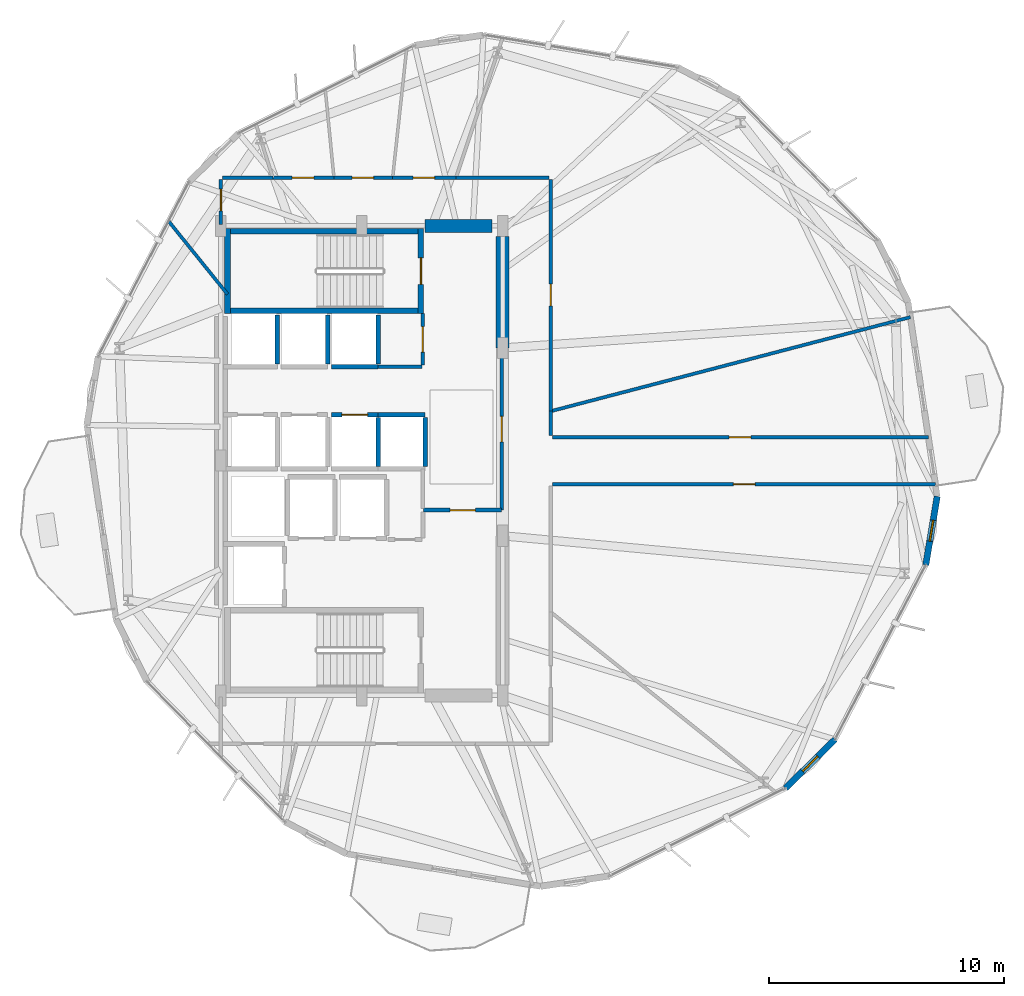
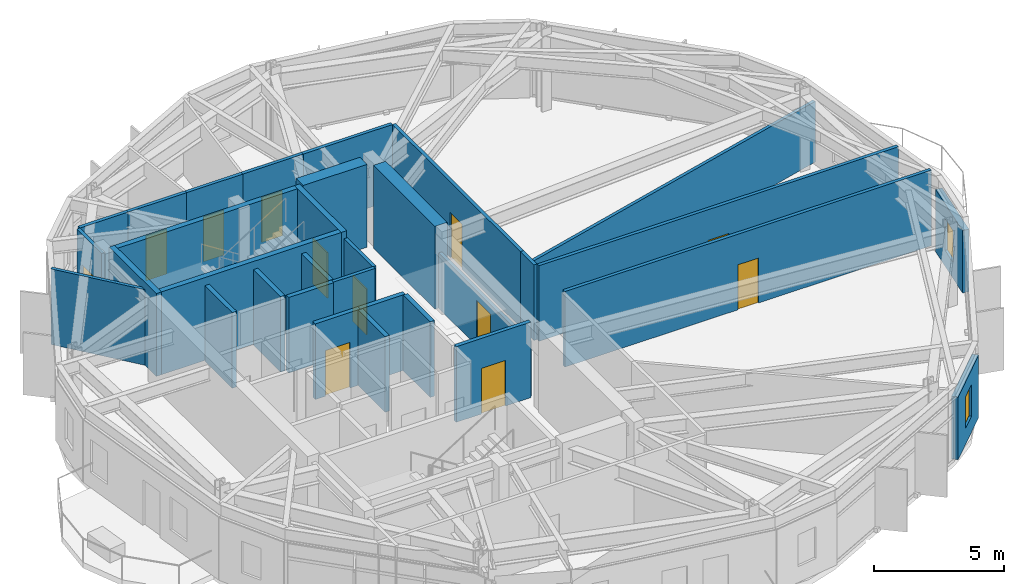
# One storey, part 18 of 22: 32 walls, 12 doors, 2 windows, 14 openings.
"""IFC4 building model written with IfcOpenShell, lengths in metres."""

from ifc_helpers import new_model, si_unit, direction, frame, frame_2d, origin, place, context, subcontext, project, spatial, rectangle, extrude, material, layer, layer_set, type_object, element, fill, save


model = new_model("IFC4")

# Units and contexts
model_context = context("Model", 3, precision=1e-05, world=origin(), true_north=direction((0.0, 1.0)))
body_context = subcontext(model_context, "Body", "Model", "MODEL_VIEW")
ifc_project = project(units=[si_unit("LENGTHUNIT", "METRE"), si_unit("AREAUNIT", "SQUARE_METRE"), si_unit("VOLUMEUNIT", "CUBIC_METRE"), si_unit("PLANEANGLEUNIT", "RADIAN"), si_unit("MASSUNIT", "GRAM", prefix="KILO")], contexts=[model_context])

# Site, building, storey
site_placement = place(None, origin())
site = spatial("IfcSite", under=ifc_project, at=site_placement, CompositionType="ELEMENT")
building_placement = place(site_placement, origin())
building = spatial("IfcBuilding", under=site, at=building_placement, Name="Soratama Intermodal Tower", CompositionType="ELEMENT")
storey_placement = place(building_placement, frame((0.0, 0.0, 130.300048828125)))
storey = spatial("IfcBuildingStorey", under=building, at=storey_placement, Name="L31", CompositionType="ELEMENT", Elevation=130.300048828125)

# Wall, opening, window
ifc_material_1 = material(Name="Concrete f'c 42 MPa", Category="concrete")
ifc_layer_1 = layer(ifc_material_1, 0.27001953125)
ifc_layer_set_1 = layer_set([ifc_layer_1], Name="Concrete f'c 42 MPa")
wall_type_1 = type_object("IfcWallType", Name="EW-CRN-270", PredefinedType="SOLIDWALL", material=ifc_layer_set_1)
wall_1_placement = place(storey_placement, frame((56.64599609375, 11.041748046875, 0.0), z_axis=(0.0, 0.0, 1.0), x_axis=(0.713048365922, 0.701114846409, 0.0)))
wall_1 = element("IfcWall", 1, at=wall_1_placement, inside=storey, type_object=wall_type_1, Name="L31 Corner Closure Wall 08", PredefinedType="SOLIDWALL", context=body_context, shape_type="SweptSolid", body=[
    extrude(rectangle(XDim=2.966552734375, YDim=0.27001953125, at=frame_2d((1.4833984375, 0.0))), origin(), (0.0, 0.0, 1.0), 2.93896484375),
])
opening_1_placement = place(wall_1_placement, frame((1.033203125, 0.0, 0.75)))
opening_1 = element("IfcOpeningElement", 2, at=opening_1_placement, cuts=wall_1, Name="Opening WN-6", PredefinedType="OPENING", context=body_context, shape_type="SweptSolid", body=[
    extrude(rectangle(XDim=0.89990234375, YDim=1.5, at=frame_2d((0.449951171875, 0.75))), frame((0.0, 0.14501953125, 0.0), z_axis=(0.0, -1.0, 0.0), x_axis=(1.0, 0.0, 0.0)), (0.0, 0.0, 1.0), 0.2900390625),
])
ifc_material_2 = material(Name="Double-glazed aluminium window", Category="aluminium")
window_type = type_object("IfcWindowType", Name="WN-FAC-900", PartitioningType="SINGLE_PANEL", PredefinedType="WINDOW", material=ifc_material_2)
window_1_placement = place(opening_1_placement, origin())
window_1 = element("IfcWindow", 3, at=window_1_placement, inside=storey, type_object=window_type, Name="L31 Corner Window 08", OverallHeight=1.5, OverallWidth=0.89990234375, PartitioningType="SINGLE_PANEL", PredefinedType="WINDOW", context=body_context, shape_type="SweptSolid", body=[
    extrude(rectangle(XDim=0.89990234375, YDim=1.5, at=frame_2d((0.449951171875, 0.75))), frame((0.0, 0.030029296875, 0.0), z_axis=(0.0, -1.0, 0.0), x_axis=(1.0, 0.0, 0.0)), (0.0, 0.0, 1.0), 0.06005859375),
])
fill(opening_1, window_1)

wall_2_placement = place(storey_placement, frame((62.626220703125, 20.552978515625, 0.0), z_axis=(0.0, 0.0, 1.0), x_axis=(0.164759305297, 0.986333803191, 0.0)))
wall_2 = element("IfcWall", 4, at=wall_2_placement, inside=storey, type_object=wall_type_1, Name="L31 Corner Closure Wall 09", PredefinedType="SOLIDWALL", context=body_context, shape_type="SweptSolid", body=[
    extrude(rectangle(XDim=2.966552734375, YDim=0.27001953125, at=frame_2d((1.4833984375, 0.0))), origin(), (0.0, 0.0, 1.0), 2.93896484375),
])
opening_2_placement = place(wall_2_placement, frame((1.033203125, 0.0, 0.75)))
opening_2 = element("IfcOpeningElement", 5, at=opening_2_placement, cuts=wall_2, Name="Opening WN-6", PredefinedType="OPENING", context=body_context, shape_type="SweptSolid", body=[
    extrude(rectangle(XDim=0.89990234375, YDim=1.5, at=frame_2d((0.449951171875, 0.75))), frame((0.0, 0.14501953125, 0.0), z_axis=(0.0, -1.0, 0.0), x_axis=(1.0, 0.0, 0.0)), (0.0, 0.0, 1.0), 0.2900390625),
])
window_2_placement = place(opening_2_placement, origin())
window_2 = element("IfcWindow", 6, at=window_2_placement, inside=storey, type_object=window_type, Name="L31 Corner Window 09", OverallHeight=1.5, OverallWidth=0.89990234375, PartitioningType="SINGLE_PANEL", PredefinedType="WINDOW", context=body_context, shape_type="SweptSolid", body=[
    extrude(rectangle(XDim=0.89990234375, YDim=1.5, at=frame_2d((0.449951171875, 0.75))), frame((0.0, 0.030029296875, 0.0), z_axis=(0.0, -1.0, 0.0), x_axis=(1.0, 0.0, 0.0)), (0.0, 0.0, 1.0), 0.06005859375),
])
fill(opening_2, window_2)

# Wall, opening, door
ifc_material_3 = material(Name="Fire-rated gypsum stud partition", Category="concrete")
ifc_layer_2 = layer(ifc_material_3, 0.14990234375)
ifc_layer_set_2 = layer_set([ifc_layer_2], Name="Fire-rated gypsum stud partition")
wall_type_2 = type_object("IfcWallType", Name="IW-PART-R150", PredefinedType="PARTITIONING", material=ifc_layer_set_2)
wall_3_placement = place(storey_placement, frame((63.037109375, 24.0, 0.0), z_axis=(0.0, 0.0, 1.0), x_axis=(-1.0, 0.0, 0.0)))
wall_3 = element("IfcWall", 7, at=wall_3_placement, inside=storey, type_object=wall_type_2, Name="L31 Partition W-L31-TP001", PredefinedType="PARTITIONING", context=body_context, shape_type="SweptSolid", body=[
    extrude(rectangle(XDim=16.317138671875, YDim=0.14990234375, at=frame_2d((8.15869140625, 0.0))), origin(), (0.0, 0.0, 1.0), 3.56005859375),
])
opening_3_placement = place(wall_3_placement, frame((7.68408203125, 0.0, 0.0)))
opening_3 = element("IfcOpeningElement", 8, at=opening_3_placement, cuts=wall_3, Name="Opening ID-6", PredefinedType="OPENING", context=body_context, shape_type="SweptSolid", body=[
    extrude(rectangle(XDim=0.919921875, YDim=2.1201171875, at=frame_2d((0.4599609375, 1.06005859375))), frame((0.0, 0.0849609375, 0.0), z_axis=(0.0, -1.0, 0.0), x_axis=(1.0, 0.0, 0.0)), (0.0, 0.0, 1.0), 0.169921875),
])
ifc_material_4 = material(Name="Solid hardwood acoustic door", Category="wood")
door_type_1 = type_object("IfcDoorType", Name="DR-ROOM-920", OperationType="NOTDEFINED", PredefinedType="DOOR", material=ifc_material_4)
door_1_placement = place(opening_3_placement, origin())
door_1 = element("IfcDoor", 9, at=door_1_placement, inside=storey, type_object=door_type_1, Name="L31 Door D-L31-TP001", OperationType="SINGLE_SWING_RIGHT", OverallHeight=2.1201171875, OverallWidth=0.919921875, PredefinedType="DOOR", context=body_context, shape_type="SweptSolid", body=[
    extrude(rectangle(XDim=0.919921875, YDim=2.1201171875, at=frame_2d((0.4599609375, 1.06005859375))), frame((0.0, 0.02490234375, 0.0), z_axis=(0.0, -1.0, 0.0), x_axis=(1.0, 0.0, 0.0)), (0.0, 0.0, 1.0), 0.050048828125),
])
fill(opening_3, door_1)

wall_4_placement = place(storey_placement, frame((46.719970703125, 26.0, 0.0), z_axis=(0.0, 0.0, 1.0), x_axis=(1.0, 0.0, 0.0)))
wall_4 = element("IfcWall", 10, at=wall_4_placement, inside=storey, type_object=wall_type_2, Name="L31 Partition W-L31-TP002", PredefinedType="PARTITIONING", context=body_context, shape_type="SweptSolid", body=[
    extrude(rectangle(XDim=16.01708984375, YDim=0.14990234375, at=frame_2d((8.008544921875, 0.0))), origin(), (0.0, 0.0, 1.0), 3.56005859375),
])
opening_4_placement = place(wall_4_placement, frame((7.533935546875, 0.0, 0.0)))
opening_4 = element("IfcOpeningElement", 11, at=opening_4_placement, cuts=wall_4, Name="Opening ID-6", PredefinedType="OPENING", context=body_context, shape_type="SweptSolid", body=[
    extrude(rectangle(XDim=0.919921875, YDim=2.1201171875, at=frame_2d((0.4599609375, 1.06005859375))), frame((0.0, 0.0849609375, 0.0), z_axis=(0.0, -1.0, 0.0), x_axis=(1.0, 0.0, 0.0)), (0.0, 0.0, 1.0), 0.169921875),
])
door_2_placement = place(opening_4_placement, origin())
door_2 = element("IfcDoor", 12, at=door_2_placement, inside=storey, type_object=door_type_1, Name="L31 Door D-L31-TP002", OperationType="SINGLE_SWING_LEFT", OverallHeight=2.1201171875, OverallWidth=0.919921875, PredefinedType="DOOR", context=body_context, shape_type="SweptSolid", body=[
    extrude(rectangle(XDim=0.919921875, YDim=2.1201171875, at=frame_2d((0.4599609375, 1.06005859375))), frame((0.0, 0.02490234375, 0.0), z_axis=(0.0, -1.0, 0.0), x_axis=(1.0, 0.0, 0.0)), (0.0, 0.0, 1.0), 0.050048828125),
])
fill(opening_4, door_2)

wall_5_placement = place(storey_placement, frame((46.64990234375, 36.97998046875, 0.0), z_axis=(0.0, 0.0, 1.0), x_axis=(0.0, -1.0, 0.0)))
wall_5 = element("IfcWall", 13, at=wall_5_placement, inside=storey, type_object=wall_type_2, Name="L31 Partition W-L31-TP005", PredefinedType="PARTITIONING", context=body_context, shape_type="SweptSolid", body=[
    extrude(rectangle(XDim=9.8740234375, YDim=0.14990234375, at=frame_2d((4.93701171875, 0.0))), origin(), (0.0, 0.0, 1.0), 3.56005859375),
])
opening_5_placement = place(wall_5_placement, frame((4.4619140625, 0.0, 0.0)))
opening_5 = element("IfcOpeningElement", 14, at=opening_5_placement, cuts=wall_5, Name="Opening ID-6", PredefinedType="OPENING", context=body_context, shape_type="SweptSolid", body=[
    extrude(rectangle(XDim=0.919921875, YDim=2.1201171875, at=frame_2d((0.4599609375, 1.06005859375))), frame((0.0, 0.0849609375, 0.0), z_axis=(0.0, -1.0, 0.0), x_axis=(1.0, 0.0, 0.0)), (0.0, 0.0, 1.0), 0.169921875),
])
door_3_placement = place(opening_5_placement, origin())
door_3 = element("IfcDoor", 15, at=door_3_placement, inside=storey, type_object=door_type_1, Name="L31 Door D-L31-TP003", OperationType="SINGLE_SWING_RIGHT", OverallHeight=2.1201171875, OverallWidth=0.919921875, PredefinedType="DOOR", context=body_context, shape_type="SweptSolid", body=[
    extrude(rectangle(XDim=0.919921875, YDim=2.1201171875, at=frame_2d((0.4599609375, 1.06005859375))), frame((0.0, 0.02490234375, 0.0), z_axis=(0.0, -1.0, 0.0), x_axis=(1.0, 0.0, 0.0)), (0.0, 0.0, 1.0), 0.050048828125),
])
fill(opening_5, door_3)

wall_6_placement = place(storey_placement, frame((44.56005859375, 29.800048828125, 0.0), z_axis=(0.0, 0.0, 1.0), x_axis=(0.0, -1.0, 0.0)))
wall_6 = element("IfcWall", 16, at=wall_6_placement, inside=storey, type_object=wall_type_2, Name="L31 Partition W-L31-TP007", PredefinedType="PARTITIONING", context=body_context, shape_type="SweptSolid", body=[
    extrude(rectangle(XDim=6.91015625, YDim=0.14990234375, at=frame_2d((3.455078125, 0.0))), origin(), (0.0, 0.0, 1.0), 2.599853515625),
])
opening_6_placement = place(wall_6_placement, frame((2.9150390625, 0.0, 0.0)))
opening_6 = element("IfcOpeningElement", 17, at=opening_6_placement, cuts=wall_6, Name="Opening ID-1", PredefinedType="OPENING", context=body_context, shape_type="SweptSolid", body=[
    extrude(rectangle(XDim=1.080078125, YDim=2.14990234375, at=frame_2d((0.5400390625, 1.074951171875))), frame((0.0, 0.0849609375, 0.0), z_axis=(0.0, -1.0, 0.0), x_axis=(1.0, 0.0, 0.0)), (0.0, 0.0, 1.0), 0.169921875),
])
ifc_material_5 = material(Name="Solid hardwood acoustic door", Category="wood")
door_type_2 = type_object("IfcDoorType", Name="DR-LOB-FD60", OperationType="NOTDEFINED", PredefinedType="DOOR", material=ifc_material_5)
door_4_placement = place(opening_6_placement, origin())
door_4 = element("IfcDoor", 18, at=door_4_placement, inside=storey, type_object=door_type_2, Name="L31 Door D-L31-TP005", OperationType="SINGLE_SWING_RIGHT", OverallHeight=2.14990234375, OverallWidth=1.080078125, PredefinedType="DOOR", context=body_context, shape_type="SweptSolid", body=[
    extrude(rectangle(XDim=1.080078125, YDim=2.14990234375, at=frame_2d((0.5400390625, 1.074951171875))), frame((0.0, 0.02490234375, 0.0), z_axis=(0.0, -1.0, 0.0), x_axis=(1.0, 0.0, 0.0)), (0.0, 0.0, 1.0), 0.050048828125),
])
fill(opening_6, door_4)

# Wall
wall_7_placement = place(storey_placement, frame((42.614013671875, 37.050048828125, 0.0), z_axis=(0.0, 0.0, 1.0), x_axis=(1.0, 0.0, 0.0)))
element("IfcWall", 19, at=wall_7_placement, inside=storey, type_object=wall_type_2, Name="L31 Partition W-L31-TP014", PredefinedType="PARTITIONING", context=body_context, shape_type="SweptSolid", body=[
    extrude(rectangle(XDim=3.966064453125, YDim=0.14990234375, at=frame_2d((1.98291015625, 0.0))), origin(), (0.0, 0.0, 1.0), 3.56005859375),
])

# Wall, opening, door
wall_8_placement = place(storey_placement, frame((39.9150390625, 37.050048828125, 0.0), z_axis=(0.0, 0.0, 1.0), x_axis=(1.0, 0.0, 0.0)))
wall_8 = element("IfcWall", 20, at=wall_8_placement, inside=storey, type_object=wall_type_2, Name="L31 Partition W-L31-TP020", PredefinedType="PARTITIONING", context=body_context, shape_type="SweptSolid", body=[
    extrude(rectangle(XDim=2.698974609375, YDim=0.14990234375, at=frame_2d((1.349609375, 0.0))), origin(), (0.0, 0.0, 1.0), 3.56005859375),
])
opening_7_placement = place(wall_8_placement, frame((0.8740234375, 0.0, 0.0)))
opening_7 = element("IfcOpeningElement", 21, at=opening_7_placement, cuts=wall_8, Name="Opening ID-6", PredefinedType="OPENING", context=body_context, shape_type="SweptSolid", body=[
    extrude(rectangle(XDim=0.919921875, YDim=2.1201171875, at=frame_2d((0.4599609375, 1.06005859375))), frame((0.0, 0.0849609375, 0.0), z_axis=(0.0, -1.0, 0.0), x_axis=(1.0, 0.0, 0.0)), (0.0, 0.0, 1.0), 0.169921875),
])
door_5_placement = place(opening_7_placement, origin())
door_5 = element("IfcDoor", 22, at=door_5_placement, inside=storey, type_object=door_type_1, Name="L31 Door D-L31-TP009", OperationType="SINGLE_SWING_RIGHT", OverallHeight=2.1201171875, OverallWidth=0.919921875, PredefinedType="DOOR", context=body_context, shape_type="SweptSolid", body=[
    extrude(rectangle(XDim=0.919921875, YDim=2.1201171875, at=frame_2d((0.4599609375, 1.06005859375))), frame((0.0, 0.02490234375, 0.0), z_axis=(0.0, -1.0, 0.0), x_axis=(1.0, 0.0, 0.0)), (0.0, 0.0, 1.0), 0.050048828125),
])
fill(opening_7, door_5)

wall_9_placement = place(storey_placement, frame((34.81005859375, 37.050048828125, 0.0), z_axis=(0.0, 0.0, 1.0), x_axis=(1.0, 0.0, 0.0)))
wall_9 = element("IfcWall", 23, at=wall_9_placement, inside=storey, type_object=wall_type_2, Name="L31 Partition W-L31-TP021", PredefinedType="PARTITIONING", context=body_context, shape_type="SweptSolid", body=[
    extrude(rectangle(XDim=2.60498046875, YDim=0.14990234375, at=frame_2d((1.302490234375, 0.0))), origin(), (0.0, 0.0, 1.0), 3.56005859375),
])
opening_8_placement = place(wall_9_placement, frame((0.826904296875, 0.0, 0.0)))
opening_8 = element("IfcOpeningElement", 24, at=opening_8_placement, cuts=wall_9, Name="Opening ID-6", PredefinedType="OPENING", context=body_context, shape_type="SweptSolid", body=[
    extrude(rectangle(XDim=0.919921875, YDim=2.1201171875, at=frame_2d((0.4599609375, 1.06005859375))), frame((0.0, 0.0849609375, 0.0), z_axis=(0.0, -1.0, 0.0), x_axis=(1.0, 0.0, 0.0)), (0.0, 0.0, 1.0), 0.169921875),
])
door_6_placement = place(opening_8_placement, origin())
door_6 = element("IfcDoor", 25, at=door_6_placement, inside=storey, type_object=door_type_1, Name="L31 Door D-L31-TP010", OperationType="SINGLE_SWING_LEFT", OverallHeight=2.1201171875, OverallWidth=0.919921875, PredefinedType="DOOR", context=body_context, shape_type="SweptSolid", body=[
    extrude(rectangle(XDim=0.919921875, YDim=2.1201171875, at=frame_2d((0.4599609375, 1.06005859375))), frame((0.0, 0.02490234375, 0.0), z_axis=(0.0, -1.0, 0.0), x_axis=(1.0, 0.0, 0.0)), (0.0, 0.0, 1.0), 0.050048828125),
])
fill(opening_8, door_6)

wall_10_placement = place(storey_placement, frame((37.4150390625, 37.050048828125, 0.0), z_axis=(0.0, 0.0, 1.0), x_axis=(1.0, 0.0, 0.0)))
wall_10 = element("IfcWall", 26, at=wall_10_placement, inside=storey, type_object=wall_type_2, Name="L31 Partition W-L31-TP023", PredefinedType="PARTITIONING", context=body_context, shape_type="SweptSolid", body=[
    extrude(rectangle(XDim=2.5, YDim=0.14990234375, at=frame_2d((1.25, 0.0))), origin(), (0.0, 0.0, 1.0), 3.56005859375),
])
opening_9_placement = place(wall_10_placement, frame((0.77490234375, 0.0, 0.0)))
opening_9 = element("IfcOpeningElement", 27, at=opening_9_placement, cuts=wall_10, Name="Opening ID-6", PredefinedType="OPENING", context=body_context, shape_type="SweptSolid", body=[
    extrude(rectangle(XDim=0.919921875, YDim=2.1201171875, at=frame_2d((0.4599609375, 1.06005859375))), frame((0.0, 0.0849609375, 0.0), z_axis=(0.0, -1.0, 0.0), x_axis=(1.0, 0.0, 0.0)), (0.0, 0.0, 1.0), 0.169921875),
])
door_7_placement = place(opening_9_placement, origin())
door_7 = element("IfcDoor", 28, at=door_7_placement, inside=storey, type_object=door_type_1, Name="L31 Door D-L31-TP011", OperationType="SINGLE_SWING_RIGHT", OverallHeight=2.1201171875, OverallWidth=0.919921875, PredefinedType="DOOR", context=body_context, shape_type="SweptSolid", body=[
    extrude(rectangle(XDim=0.919921875, YDim=2.1201171875, at=frame_2d((0.4599609375, 1.06005859375))), frame((0.0, 0.02490234375, 0.0), z_axis=(0.0, -1.0, 0.0), x_axis=(1.0, 0.0, 0.0)), (0.0, 0.0, 1.0), 0.050048828125),
])
fill(opening_9, door_7)

wall_11_placement = place(storey_placement, frame((41.199951171875, 29.070068359375, 0.0), z_axis=(0.0, 0.0, 1.0), x_axis=(0.0, 1.0, 0.0)))
wall_11 = element("IfcWall", 29, at=wall_11_placement, inside=storey, type_object=wall_type_2, Name="L31 Partition W-L31-TP025", PredefinedType="PARTITIONING", context=body_context, shape_type="SweptSolid", body=[
    extrude(rectangle(XDim=2.18994140625, YDim=0.14990234375, at=frame_2d((1.094970703125, 0.0))), origin(), (0.0, 0.0, 1.0), 3.56005859375),
])
opening_10_placement = place(wall_11_placement, frame((0.554931640625, 0.0, 0.0)))
opening_10 = element("IfcOpeningElement", 30, at=opening_10_placement, cuts=wall_11, Name="Opening ID-1", PredefinedType="OPENING", context=body_context, shape_type="SweptSolid", body=[
    extrude(rectangle(XDim=1.080078125, YDim=2.14990234375, at=frame_2d((0.5400390625, 1.074951171875))), frame((0.0, 0.0849609375, 0.0), z_axis=(0.0, -1.0, 0.0), x_axis=(1.0, 0.0, 0.0)), (0.0, 0.0, 1.0), 0.169921875),
])
door_8_placement = place(opening_10_placement, origin())
door_8 = element("IfcDoor", 31, at=door_8_placement, inside=storey, type_object=door_type_2, Name="L31 Door D-L31-TP012", OperationType="SINGLE_SWING_LEFT", OverallHeight=2.14990234375, OverallWidth=1.080078125, PredefinedType="DOOR", context=body_context, shape_type="SweptSolid", body=[
    extrude(rectangle(XDim=1.080078125, YDim=2.14990234375, at=frame_2d((0.5400390625, 1.074951171875))), frame((0.0, 0.02490234375, 0.0), z_axis=(0.0, -1.0, 0.0), x_axis=(1.0, 0.0, 0.0)), (0.0, 0.0, 1.0), 0.050048828125),
])
fill(opening_10, door_8)

# Wall
wall_12_placement = place(storey_placement, frame((32.669921875, 37.050048828125, 0.0), z_axis=(0.0, 0.0, 1.0), x_axis=(1.0, 0.0, 0.0)))
element("IfcWall", 32, at=wall_12_placement, inside=storey, type_object=wall_type_2, Name="L31 Partition W-L31-TP026", PredefinedType="PARTITIONING", context=body_context, shape_type="SweptSolid", body=[
    extrude(rectangle(XDim=2.14013671875, YDim=0.14990234375, at=frame_2d((1.070068359375, 0.0))), origin(), (0.0, 0.0, 1.0), 3.56005859375),
])

# Wall, opening, door
wall_13_placement = place(storey_placement, frame((32.60009765625, 35.070068359375, 0.0), z_axis=(0.0, 0.0, 1.0), x_axis=(0.0, 1.0, 0.0)))
wall_13 = element("IfcWall", 33, at=wall_13_placement, inside=storey, type_object=wall_type_2, Name="L31 Partition W-L31-TP027", PredefinedType="PARTITIONING", context=body_context, shape_type="SweptSolid", body=[
    extrude(rectangle(XDim=1.909912109375, YDim=0.14990234375, at=frame_2d((0.955078125, 0.0))), origin(), (0.0, 0.0, 1.0), 3.56005859375),
])
opening_11_placement = place(wall_13_placement, frame((0.574951171875, 0.0, 0.0)))
opening_11 = element("IfcOpeningElement", 34, at=opening_11_placement, cuts=wall_13, Name="Opening ID-6", PredefinedType="OPENING", context=body_context, shape_type="SweptSolid", body=[
    extrude(rectangle(XDim=0.919921875, YDim=2.1201171875, at=frame_2d((0.4599609375, 1.06005859375))), frame((0.0, 0.0849609375, 0.0), z_axis=(0.0, -1.0, 0.0), x_axis=(1.0, 0.0, 0.0)), (0.0, 0.0, 1.0), 0.169921875),
])
door_9_placement = place(opening_11_placement, origin())
door_9 = element("IfcDoor", 35, at=door_9_placement, inside=storey, type_object=door_type_1, Name="L31 Door D-L31-TP013", OperationType="SINGLE_SWING_RIGHT", OverallHeight=2.1201171875, OverallWidth=0.919921875, PredefinedType="DOOR", context=body_context, shape_type="SweptSolid", body=[
    extrude(rectangle(XDim=0.919921875, YDim=2.1201171875, at=frame_2d((0.4599609375, 1.06005859375))), frame((0.0, 0.02490234375, 0.0), z_axis=(0.0, -1.0, 0.0), x_axis=(1.0, 0.0, 0.0)), (0.0, 0.0, 1.0), 0.050048828125),
])
fill(opening_11, door_9)

# Walls
wall_14_placement = place(storey_placement, frame((39.300048828125, 29.010009765625, 0.0), z_axis=(0.0, 0.0, 1.0), x_axis=(1.0, 0.0, 0.0)))
element("IfcWall", 36, at=wall_14_placement, inside=storey, type_object=wall_type_2, Name="L31 Partition W-L31-TP028", PredefinedType="PARTITIONING", context=body_context, shape_type="SweptSolid", body=[
    extrude(rectangle(XDim=1.85986328125, YDim=0.14990234375, at=frame_2d((0.929931640625, 0.0))), origin(), (0.0, 0.0, 1.0), 3.56005859375),
])
wall_15_placement = place(storey_placement, frame((46.64990234375, 27.10595703125, 0.0), z_axis=(0.0, 0.0, 1.0), x_axis=(0.0, -1.0, 0.0)))
element("IfcWall", 37, at=wall_15_placement, inside=storey, type_object=wall_type_2, Name="L31 Partition W-L31-TP032", PredefinedType="PARTITIONING", context=body_context, shape_type="SweptSolid", body=[
    extrude(rectangle(XDim=1.035888671875, YDim=0.14990234375, at=frame_2d((0.51806640625, 0.0))), origin(), (0.0, 0.0, 1.0), 3.56005859375),
])

# Wall, opening, door
ifc_material_6 = material(Name="Fire-rated gypsum stud partition", Category="concrete")
ifc_layer_3 = layer(ifc_material_6, 0.169921875)
ifc_layer_set_3 = layer_set([ifc_layer_3], Name="Fire-rated gypsum stud partition")
wall_type_3 = type_object("IfcWallType", Name="IW-PART-R170", PredefinedType="PARTITIONING", material=ifc_layer_set_3)
wall_16_placement = place(storey_placement, frame((41.239990234375, 22.889892578125, 0.0), z_axis=(0.0, 0.0, 1.0), x_axis=(1.0, 0.0, 0.0)))
wall_16 = element("IfcWall", 38, at=wall_16_placement, inside=storey, type_object=wall_type_3, Name="L31 Partition W-L31-TP017", PredefinedType="PARTITIONING", context=body_context, shape_type="SweptSolid", body=[
    extrude(rectangle(XDim=3.320068359375, YDim=0.169921875, at=frame_2d((1.66015625, 0.0))), origin(), (0.0, 0.0, 1.0), 3.56005859375),
])
opening_12_placement = place(wall_16_placement, frame((1.1201171875, 0.0, 0.0)))
opening_12 = element("IfcOpeningElement", 39, at=opening_12_placement, cuts=wall_16, Name="Opening ID-0", PredefinedType="OPENING", context=body_context, shape_type="SweptSolid", body=[
    extrude(rectangle(XDim=1.080078125, YDim=2.14990234375, at=frame_2d((0.5400390625, 1.074951171875))), frame((0.0, 0.094970703125, 0.0), z_axis=(0.0, -1.0, 0.0), x_axis=(1.0, 0.0, 0.0)), (0.0, 0.0, 1.0), 0.18994140625),
])
ifc_material_7 = material(Name="Solid hardwood acoustic door", Category="wood")
door_type_3 = type_object("IfcDoorType", Name="DR-LOB-FD90", OperationType="NOTDEFINED", PredefinedType="DOOR", material=ifc_material_7)
door_10_placement = place(opening_12_placement, origin())
door_10 = element("IfcDoor", 40, at=door_10_placement, inside=storey, type_object=door_type_3, Name="L31 Door D-L31-TP008", OperationType="SINGLE_SWING_LEFT", OverallHeight=2.14990234375, OverallWidth=1.080078125, PredefinedType="DOOR", context=body_context, shape_type="SweptSolid", body=[
    extrude(rectangle(XDim=1.080078125, YDim=2.14990234375, at=frame_2d((0.5400390625, 1.074951171875))), frame((0.0, 0.02490234375, 0.0), z_axis=(0.0, -1.0, 0.0), x_axis=(1.0, 0.0, 0.0)), (0.0, 0.0, 1.0), 0.050048828125),
])
fill(opening_12, door_10)

# Walls
ifc_material_8 = material(Name="Fire-rated gypsum stud partition", Category="concrete")
ifc_layer_4 = layer(ifc_material_8, 0.139892578125)
ifc_layer_set_4 = layer_set([ifc_layer_4], Name="Fire-rated gypsum stud partition")
wall_type_4 = type_object("IfcWallType", Name="IW-PART-S140", PredefinedType="PARTITIONING", material=ifc_layer_set_4)
wall_17_placement = place(storey_placement, frame((46.64990234375, 27.10595703125, 0.0), z_axis=(0.0, 0.0, 1.0), x_axis=(0.967443345074, 0.2530876806, 0.0)))
element("IfcWall", 41, at=wall_17_placement, inside=storey, type_object=wall_type_4, Name="L31 Partition W-L31-TP003", PredefinedType="PARTITIONING", context=body_context, shape_type="SweptSolid", body=[
    extrude(rectangle(XDim=15.836669921875, YDim=0.139892578125, at=frame_2d((7.91845703125, 0.0))), origin(), (0.0, 0.0, 1.0), 2.85498046875),
])
wall_18_placement = place(storey_placement, frame((32.8798828125, 32.091064453125, 0.0), z_axis=(0.0, 0.0, 1.0), x_axis=(-0.627971930716, 0.77823598878, 0.0)))
element("IfcWall", 42, at=wall_18_placement, inside=storey, type_object=wall_type_4, Name="L31 Partition W-L31-TP013", PredefinedType="PARTITIONING", context=body_context, shape_type="SweptSolid", body=[
    extrude(rectangle(XDim=4.0, YDim=0.139892578125, at=frame_2d((2.0, 0.0))), origin(), (0.0, 0.0, 1.0), 3.56005859375),
])

# Wall, opening, door
ifc_material_9 = material(Name="Concrete f'c 42 MPa", Category="concrete")
ifc_layer_5 = layer(ifc_material_9, 0.199951171875)
ifc_layer_set_5 = layer_set([ifc_layer_5], Name="Concrete f'c 42 MPa")
wall_type_5 = type_object("IfcWallType", Name="IW-SHAFT-200", PredefinedType="SOLIDWALL", material=ifc_layer_set_5)
wall_19_placement = place(storey_placement, frame((37.300048828125, 26.949951171875, 0.0), z_axis=(0.0, 0.0, 1.0), x_axis=(1.0, 0.0, 0.0)))
wall_19 = element("IfcWall", 43, at=wall_19_placement, inside=storey, type_object=wall_type_5, Name="L31 PL-L3 Hoistway Wall N", PredefinedType="SOLIDWALL", context=body_context, shape_type="SweptSolid", body=[
    extrude(rectangle(XDim=2.0, YDim=0.199951171875, at=frame_2d((1.0, 0.0))), origin(), (0.0, 0.0, 1.0), 3.56005859375),
])
opening_13_placement = place(wall_19_placement, frame((0.449951171875, 0.0, 0.0)))
opening_13 = element("IfcOpeningElement", 44, at=opening_13_placement, cuts=wall_19, Name="Opening LD-1", PredefinedType="OPENING", context=body_context, shape_type="SweptSolid", body=[
    extrude(rectangle(XDim=1.10009765625, YDim=2.14990234375, at=frame_2d((0.550048828125, 1.074951171875))), frame((0.0, 0.10986328125, 0.0), z_axis=(0.0, -1.0, 0.0), x_axis=(1.0, 0.0, 0.0)), (0.0, 0.0, 1.0), 0.219970703125),
])
ifc_material_10 = material(Name="Steel fire door", Category="steel")
door_type_4 = type_object("IfcDoorType", Name="DR-LIFT-SLIDE", OperationType="NOTDEFINED", PredefinedType="DOOR", material=ifc_material_10)
door_11_placement = place(opening_13_placement, origin())
door_11 = element("IfcDoor", 45, at=door_11_placement, inside=storey, type_object=door_type_4, Name="L31 PL-L3 Sliding Landing Door", OperationType="SLIDING_TO_LEFT", OverallHeight=2.14990234375, OverallWidth=1.10009765625, PredefinedType="DOOR", context=body_context, shape_type="SweptSolid", body=[
    extrude(rectangle(XDim=1.10009765625, YDim=2.14990234375, at=frame_2d((0.550048828125, 1.074951171875))), frame((0.0, 0.02490234375, 0.0), z_axis=(0.0, -1.0, 0.0), x_axis=(1.0, 0.0, 0.0)), (0.0, 0.0, 1.0), 0.050048828125),
])
fill(opening_13, door_11)

# Walls
wall_20_placement = place(storey_placement, frame((39.300048828125, 24.760009765625, 0.0), z_axis=(0.0, 0.0, 1.0), x_axis=(0.0, 1.0, 0.0)))
element("IfcWall", 46, at=wall_20_placement, inside=storey, type_object=wall_type_5, Name="L31 PL-L3 Hoistway Wall E", PredefinedType="SOLIDWALL", context=body_context, shape_type="SweptSolid", body=[
    extrude(rectangle(XDim=2.080078125, YDim=0.199951171875, at=frame_2d((1.0400390625, 0.0))), origin(), (0.0, 0.0, 1.0), 3.56005859375),
])
wall_21_placement = place(storey_placement, frame((39.300048828125, 26.949951171875, 0.0), z_axis=(0.0, 0.0, 1.0), x_axis=(1.0, 0.0, 0.0)))
element("IfcWall", 47, at=wall_21_placement, inside=storey, type_object=wall_type_5, Name="L31 PL-M1 Hoistway Wall N", PredefinedType="SOLIDWALL", context=body_context, shape_type="SweptSolid", body=[
    extrude(rectangle(XDim=2.0, YDim=0.199951171875, at=frame_2d((1.0, 0.0))), origin(), (0.0, 0.0, 1.0), 3.56005859375),
])
wall_22_placement = place(storey_placement, frame((41.300048828125, 24.760009765625, 0.0), z_axis=(0.0, 0.0, 1.0), x_axis=(0.0, 1.0, 0.0)))
element("IfcWall", 48, at=wall_22_placement, inside=storey, type_object=wall_type_5, Name="L31 PL-M1 Hoistway Wall E", PredefinedType="SOLIDWALL", context=body_context, shape_type="SweptSolid", body=[
    extrude(rectangle(XDim=2.080078125, YDim=0.199951171875, at=frame_2d((1.0400390625, 0.0))), origin(), (0.0, 0.0, 1.0), 3.56005859375),
])
for number, where, z_axis, x_axis, name in (
    (49, (35.0, 29.110107421875, 0.0), (0.0, 0.0, 1.0), (0.0, 1.0, 0.0), "L31 PL-M2 Hoistway Wall E"),
    (50, (37.14990234375, 29.110107421875, 0.0), (0.0, 0.0, 1.0), (0.0, 1.0, 0.0), "L31 PL-H1 Hoistway Wall E"),
):
    element("IfcWall", number, at=place(storey_placement, frame(where, z_axis=z_axis, x_axis=x_axis)), inside=storey, type_object=wall_type_5, Name=name, PredefinedType="SOLIDWALL", context=body_context, shape_type="SweptSolid", body=[
        extrude(rectangle(XDim=2.099853515625, YDim=0.199951171875, at=frame_2d((1.0498046875, 0.0))), origin(), (0.0, 0.0, 1.0), 3.56005859375),
    ])
wall_23_placement = place(storey_placement, frame((37.300048828125, 29.0, 0.0), z_axis=(0.0, 0.0, 1.0), x_axis=(1.0, 0.0, 0.0)))
element("IfcWall", 51, at=wall_23_placement, inside=storey, type_object=wall_type_5, Name="L31 PL-H2 Hoistway Wall S", PredefinedType="SOLIDWALL", context=body_context, shape_type="SweptSolid", body=[
    extrude(rectangle(XDim=2.0, YDim=0.199951171875, at=frame_2d((1.0, 0.0))), origin(), (0.0, 0.0, 1.0), 3.56005859375),
])
wall_24_placement = place(storey_placement, frame((39.300048828125, 29.110107421875, 0.0), z_axis=(0.0, 0.0, 1.0), x_axis=(0.0, 1.0, 0.0)))
element("IfcWall", 52, at=wall_24_placement, inside=storey, type_object=wall_type_5, Name="L31 PL-H2 Hoistway Wall E", PredefinedType="SOLIDWALL", context=body_context, shape_type="SweptSolid", body=[
    extrude(rectangle(XDim=2.099853515625, YDim=0.199951171875, at=frame_2d((1.0498046875, 0.0))), origin(), (0.0, 0.0, 1.0), 3.56005859375),
])
ifc_material_11 = material(Name="Concrete f'c 56 MPa", Category="concrete")
ifc_layer_6 = layer(ifc_material_11, 0.550048828125)
ifc_layer_set_6 = layer_set([ifc_layer_6], Name="Concrete f'c 56 MPa")
wall_type_6 = type_object("IfcWallType", Name="SW-CORE-550", PredefinedType="SHEAR", material=ifc_layer_set_6)
wall_25_placement = place(storey_placement, frame((41.300048828125, 35.0, 0.0), z_axis=(0.0, 0.0, 1.0), x_axis=(1.0, 0.0, 0.0)))
element("IfcWall", 53, at=wall_25_placement, inside=storey, type_object=wall_type_6, Name="L31 Core Shear Wall CW-NE", PredefinedType="SHEAR", context=body_context, shape_type="SweptSolid", body=[
    extrude(rectangle(XDim=2.849853515625, YDim=0.550048828125, at=frame_2d((1.4248046875, 0.0))), origin(), (0.0, 0.0, 1.0), 3.89990234375),
])
wall_26_placement = place(storey_placement, frame((44.60009765625, 29.800048828125, 0.0), z_axis=(0.0, 0.0, 1.0), x_axis=(0.0, 1.0, 0.0)))
element("IfcWall", 54, at=wall_26_placement, inside=storey, type_object=wall_type_6, Name="L31 Core Shear Wall CW-EN", PredefinedType="SHEAR", context=body_context, shape_type="SweptSolid", body=[
    extrude(rectangle(XDim=4.75, YDim=0.550048828125, at=frame_2d((2.375, 0.0))), origin(), (0.0, 0.0, 1.0), 3.89990234375),
])
ifc_material_12 = material(Name="Concrete f'c 56 MPa", Category="concrete")
ifc_layer_7 = layer(ifc_material_12, 0.239990234375)
ifc_layer_set_7 = layer_set([ifc_layer_7], Name="Concrete f'c 56 MPa")
wall_type_7 = type_object("IfcWallType", Name="SW-STAIR-240", PredefinedType="SHEAR", material=ifc_layer_set_7)
wall_27_placement = place(storey_placement, frame((32.8798828125, 31.260009765625, 0.0), z_axis=(0.0, 0.0, 1.0), x_axis=(0.0, 1.0, 0.0)))
element("IfcWall", 55, at=wall_27_placement, inside=storey, type_object=wall_type_7, Name="L31 ST-2 Shaft Shear Wall W", PredefinedType="SHEAR", context=body_context, shape_type="SweptSolid", body=[
    extrude(rectangle(XDim=3.6298828125, YDim=0.239990234375, at=frame_2d((1.81494140625, 0.0))), origin(), (0.0, 0.0, 1.0), 3.89990234375),
])

# Wall, opening, door
wall_28_placement = place(storey_placement, frame((41.1201171875, 31.260009765625, 0.0), z_axis=(0.0, 0.0, 1.0), x_axis=(0.0, 1.0, 0.0)))
wall_28 = element("IfcWall", 56, at=wall_28_placement, inside=storey, type_object=wall_type_7, Name="L31 ST-2 Shaft Shear Wall E", PredefinedType="SHEAR", context=body_context, shape_type="SweptSolid", body=[
    extrude(rectangle(XDim=3.6298828125, YDim=0.239990234375, at=frame_2d((1.81494140625, 0.0))), origin(), (0.0, 0.0, 1.0), 3.89990234375),
])
opening_14_placement = place(wall_28_placement, frame((1.2548828125, 0.0, 0.0)))
opening_14 = element("IfcOpeningElement", 57, at=opening_14_placement, cuts=wall_28, Name="Opening SD-1", PredefinedType="OPENING", context=body_context, shape_type="SweptSolid", body=[
    extrude(rectangle(XDim=1.1201171875, YDim=2.14990234375, at=frame_2d((0.56005859375, 1.074951171875))), frame((0.0, 0.1298828125, 0.0), z_axis=(0.0, -1.0, 0.0), x_axis=(1.0, 0.0, 0.0)), (0.0, 0.0, 1.0), 0.260009765625),
])
ifc_material_13 = material(Name="Steel fire door", Category="steel")
door_type_5 = type_object("IfcDoorType", Name="DR-STAIR-FD90", OperationType="NOTDEFINED", PredefinedType="DOOR", material=ifc_material_13)
door_12_placement = place(opening_14_placement, origin())
door_12 = element("IfcDoor", 58, at=door_12_placement, inside=storey, type_object=door_type_5, Name="L31 ST-2 Exit Stair Door", OperationType="SINGLE_SWING_RIGHT", OverallHeight=2.14990234375, OverallWidth=1.1201171875, PredefinedType="DOOR", context=body_context, shape_type="SweptSolid", body=[
    extrude(rectangle(XDim=1.1201171875, YDim=2.14990234375, at=frame_2d((0.56005859375, 1.074951171875))), frame((0.0, 0.02490234375, 0.0), z_axis=(0.0, -1.0, 0.0), x_axis=(1.0, 0.0, 0.0)), (0.0, 0.0, 1.0), 0.050048828125),
])
fill(opening_14, door_12)

# Walls
for number, where, z_axis, x_axis, name in (
    (59, (33.0, 31.3798828125, 0.0), (0.0, 0.0, 1.0), (1.0, 0.0, 0.0), "L31 ST-2 Shaft Shear Wall S"),
    (60, (33.0, 34.77001953125, 0.0), (0.0, 0.0, 1.0), (1.0, 0.0, 0.0), "L31 ST-2 Shaft Shear Wall N"),
):
    element("IfcWall", number, at=place(storey_placement, frame(where, z_axis=z_axis, x_axis=x_axis)), inside=storey, type_object=wall_type_7, Name=name, PredefinedType="SHEAR", context=body_context, shape_type="SweptSolid", body=[
        extrude(rectangle(XDim=8.0, YDim=0.239990234375, at=frame_2d((4.0, 0.0))), origin(), (0.0, 0.0, 1.0), 3.89990234375),
    ])

save(model, "model.ifc")
